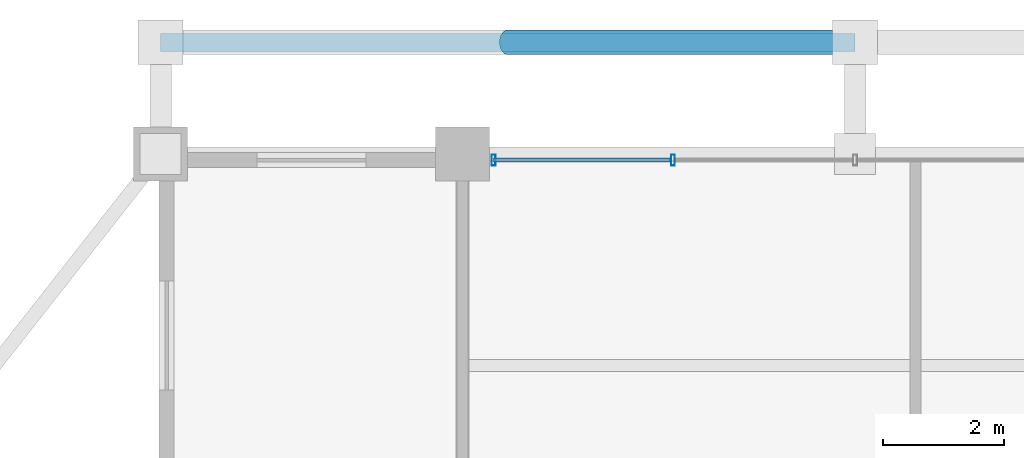
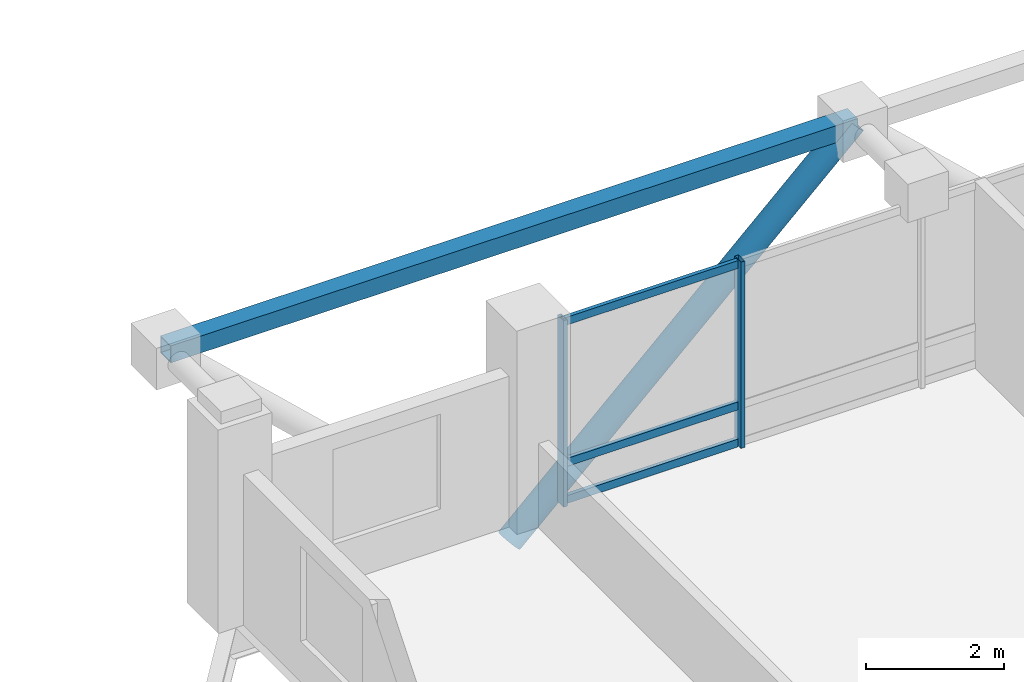
# One storey, part 15 of 25: 7 members, 1 element without a shape of its own.
"""IFC4 building model written with IfcOpenShell, lengths in metres."""

import ifcopenshell
import ifcopenshell.guid

model = None  # the IFC model being written
_history = None  # IfcOwnerHistory: only IFC2X3 demands one
_inside = {}  # id of a spatial element -> (the spatial element, [elements in it])
_under = {}  # id of a project, library or spatial element -> (it, [spatial elements below it])
_declared = {}  # id of a project -> (the project, [libraries it declares])
_typed = {}  # id of a type object -> (the type object, [elements of that type])
_made_of = {}  # id of a material, layer set ... -> (it, [elements and type objects made of it])


def new_model(schema):
    """Start an empty IFC model of exactly this schema.

    Asked for "IFC4X3", IfcOpenShell would pick the latest addendum, in which some entities
    have other attributes; the version numbers below select the first issue.
    IFC2X3 requires an IfcOwnerHistory on every rooted entity: one is made here for all.
    """
    global model, _history
    if schema == "IFC4X3":
        model = ifcopenshell.file(schema_version=(4, 3, 0, 0))
    else:
        model = ifcopenshell.file(schema=schema)
    _inside.clear()
    _under.clear()
    _declared.clear()
    _typed.clear()
    _made_of.clear()
    _history = None
    if model.schema == "IFC2X3":
        org = make("IfcOrganization", Name="unknown")
        user = make(
            "IfcPersonAndOrganization",
            ThePerson=make("IfcPerson", FamilyName="unknown"),
            TheOrganization=org,
        )
        app = make(
            "IfcApplication",
            ApplicationDeveloper=org,
            Version="unknown",
            ApplicationFullName="unknown",
            ApplicationIdentifier="unknown",
        )
        _history = make(
            "IfcOwnerHistory",
            OwningUser=user,
            OwningApplication=app,
            ChangeAction="ADDED",
            CreationDate=0,
        )
    return model


def make(cls, **values):
    """One entity of the class cls with the attributes given. An attribute that is None is left unset."""
    return model.create_entity(
        cls, **{name: value for name, value in values.items() if value is not None}
    )


def rooted(cls, **values):
    """An entity with a GlobalId (a new one), such as an element, a storey or a relation."""
    return make(cls, GlobalId=ifcopenshell.guid.new(), OwnerHistory=_history, **values)


def si_unit(unit_type, name, prefix=None):
    """IfcSIUnit, for example si_unit("LENGTHUNIT", "METRE", prefix="MILLI")."""
    return make("IfcSIUnit", UnitType=unit_type, Prefix=prefix, Name=name)


def assignment(units):
    """IfcUnitAssignment: the units of a project."""
    return None if units is None else make("IfcUnitAssignment", Units=units)


def point(xyz):
    """IfcCartesianPoint."""
    return None if xyz is None else make("IfcCartesianPoint", Coordinates=xyz)


def direction(xyz):
    """IfcDirection."""
    return None if xyz is None else make("IfcDirection", DirectionRatios=xyz)


def frame(location, z_axis=None, x_axis=None):
    """IfcAxis2Placement3D, a coordinate frame: its origin and axes. An axis left out is left unset."""
    return make(
        "IfcAxis2Placement3D",
        Location=point(location),
        Axis=direction(z_axis),
        RefDirection=direction(x_axis),
    )


def frame_2d(location, x_axis=None):
    """IfcAxis2Placement2D, a coordinate frame in the plane: its origin and x axis."""
    return make(
        "IfcAxis2Placement2D", Location=point(location), RefDirection=direction(x_axis)
    )


def origin():
    """The frame at (0, 0, 0) with its axes left unset."""
    return frame((0.0, 0.0, 0.0))


def origin_2d():
    """The frame at (0, 0) in the plane with its x axis left unset."""
    return frame_2d((0.0, 0.0))


def place(relative_to, where):
    """IfcLocalPlacement: puts the frame where relative to a parent placement (None: the world)."""
    return make(
        "IfcLocalPlacement", PlacementRelTo=relative_to, RelativePlacement=where
    )


def context(
    kind, dimensions, precision=None, world=None, true_north=None, identifier=None
):
    """IfcGeometricRepresentationContext, for example the 3D "Model" context."""
    return make(
        "IfcGeometricRepresentationContext",
        ContextIdentifier=identifier,
        ContextType=kind,
        CoordinateSpaceDimension=dimensions,
        Precision=precision,
        WorldCoordinateSystem=world,
        TrueNorth=true_north,
    )


def subcontext(parent, identifier, kind, view, scale=None):
    """IfcGeometricRepresentationSubContext, for example "Body" below "Model"."""
    return make(
        "IfcGeometricRepresentationSubContext",
        ContextIdentifier=identifier,
        ContextType=kind,
        ParentContext=parent,
        TargetScale=scale,
        TargetView=view,
    )


def project(units=None, contexts=None):
    """IfcProject with its units and contexts."""
    return rooted(
        "IfcProject",
        Name="project",
        RepresentationContexts=contexts,
        UnitsInContext=assignment(units),
    )


def spatial(cls, under=None, at=None, **own):
    """A site, building, storey or space (cls), placed at a placement, below another one or the project."""
    s = rooted(cls, ObjectPlacement=at, **own)
    if under is not None:
        _under.setdefault(under.id(), (under, []))[1].append(s)
    return s


def profile(cls, at=None, kind="AREA", **sizes):
    """A parametric profile (cls). Its sizes go by their IFC names, for example OverallWidth=200.0."""
    return make(cls, ProfileType=kind, Position=at, **sizes)


def hollow_rectangle(**sizes):
    """IfcRectangleHollowProfileDef."""
    return profile("IfcRectangleHollowProfileDef", **sizes)


def hollow_circle(**sizes):
    """IfcCircleHollowProfileDef."""
    return profile("IfcCircleHollowProfileDef", **sizes)


def extrude(swept, where, along, depth):
    """IfcExtrudedAreaSolid: the profile swept, set in the frame where, extruded along a direction by depth."""
    return make(
        "IfcExtrudedAreaSolid",
        SweptArea=swept,
        Position=where,
        ExtrudedDirection=direction(along),
        Depth=depth,
    )


def shape(context_of_items, identifier, shape_type, items):
    """IfcShapeRepresentation: the items that make up one representation, for example the "Body"."""
    return make(
        "IfcShapeRepresentation",
        ContextOfItems=context_of_items,
        RepresentationIdentifier=identifier,
        RepresentationType=shape_type,
        Items=items,
    )


def material(Name=None, Category=None):
    """IfcMaterial."""
    return make("IfcMaterial", Name=Name, Category=Category)


def layer(
    of_material, thickness, ventilated=None, Name=None, Category=None, Priority=None
):
    """IfcMaterialLayer: one layer of a wall or slab, of a material (None: an air gap)."""
    return make(
        "IfcMaterialLayer",
        Material=of_material,
        LayerThickness=thickness,
        IsVentilated=ventilated,
        Name=Name,
        Category=Category,
        Priority=Priority,
    )


def layer_set(layers, Name=None):
    """IfcMaterialLayerSet."""
    return make("IfcMaterialLayerSet", MaterialLayers=layers, LayerSetName=Name)


def material_profile(
    of_material, cross_section, Name=None, Category=None, Priority=None
):
    """IfcMaterialProfile: a cross section and its material."""
    return make(
        "IfcMaterialProfile",
        Name=Name,
        Material=of_material,
        Profile=cross_section,
        Priority=Priority,
        Category=Category,
    )


def profile_set(profiles, Name=None, composite=None):
    """IfcMaterialProfileSet."""
    return make(
        "IfcMaterialProfileSet",
        Name=Name,
        MaterialProfiles=profiles,
        CompositeProfile=composite,
    )


def made_of(thing, what):
    """Note that an element or type object is made of a material, layer set ...; save() writes the relation."""
    if what is not None:
        _made_of.setdefault(what.id(), (what, []))[1].append(thing)
    return thing


def type_object(cls, material=None, **own):
    """A type object (cls), such as IfcWallType, which elements share."""
    return made_of(rooted(cls, **own), material)


def element(
    cls,
    number,
    at=None,
    inside=None,
    cuts=None,
    type_object=None,
    material=None,
    context=None,
    identifier="Body",
    shape_type=None,
    held_by="IfcProductDefinitionShape",
    body=None,
    shapes=None,
    **own,
):
    """One element of the class cls, such as IfcWall. Its Tag is "e" and its number.

    at: its placement. inside: the storey or other place that contains it. cuts: it is an
    opening in that element (IfcRelVoidsElement). A single representation is given by context,
    identifier, shape_type and body (its items); several are given by shapes. held_by: the class
    of the entity that holds the representations. save() writes the other relations.
    """
    e = rooted(cls, Tag="e%d" % number, ObjectPlacement=at, **own)
    if body is not None:
        shapes = [shape(context, identifier, shape_type, body)]
    if shapes is not None:
        e.Representation = make(held_by, Representations=shapes)
    if inside is not None:
        _inside.setdefault(inside.id(), (inside, []))[1].append(e)
    if cuts is not None:
        rooted(
            "IfcRelVoidsElement", RelatingBuildingElement=cuts, RelatedOpeningElement=e
        )
    if type_object is not None:
        _typed.setdefault(type_object.id(), (type_object, []))[1].append(e)
    return made_of(e, material)


def aggregate(whole, parts):
    """IfcRelAggregates: a whole, such as a stair, and the parts it consists of."""
    return rooted("IfcRelAggregates", RelatingObject=whole, RelatedObjects=parts)


def save(model, path):
    """Write the relations noted so far, then the file.

    IfcRelAggregates (storeys below a building ...), IfcRelContainedInSpatialStructure (elements
    in a storey), IfcRelDefinesByType, IfcRelAssociatesMaterial and IfcRelDeclares: one each for
    every whole, place, type object, material and project.
    """
    for whole, parts in _under.values():
        aggregate(whole, parts)
    for where, things in _inside.values():
        rooted(
            "IfcRelContainedInSpatialStructure",
            RelatedElements=things,
            RelatingStructure=where,
        )
    for kind, things in _typed.values():
        rooted("IfcRelDefinesByType", RelatedObjects=things, RelatingType=kind)
    for what, things in _made_of.values():
        rooted("IfcRelAssociatesMaterial", RelatedObjects=things, RelatingMaterial=what)
    for by, libraries in _declared.values():
        rooted("IfcRelDeclares", RelatingContext=by, RelatedDefinitions=libraries)
    model.write(path)


model = new_model("IFC4")

# Units and contexts
model_context = context("Model", 3, precision=1e-05, world=origin(), true_north=direction((0.0, 1.0)))
body_context = subcontext(model_context, "Body", "Model", "MODEL_VIEW")
ifc_project = project(units=[si_unit("LENGTHUNIT", "METRE"), si_unit("AREAUNIT", "SQUARE_METRE"), si_unit("VOLUMEUNIT", "CUBIC_METRE"), si_unit("PLANEANGLEUNIT", "RADIAN"), si_unit("MASSUNIT", "GRAM", prefix="KILO")], contexts=[model_context])

# Site, building, storey
site_placement = place(None, origin())
site = spatial("IfcSite", under=ifc_project, at=site_placement, CompositionType="ELEMENT")
building_placement = place(site_placement, origin())
building = spatial("IfcBuilding", under=site, at=building_placement, Name="Barlavira Tower and Art Museum", CompositionType="ELEMENT")
storey_placement = place(building_placement, frame((0.0, 0.0, 301.5)))
storey = spatial("IfcBuildingStorey", under=building, at=storey_placement, Name="L79", CompositionType="ELEMENT", Elevation=301.5)

# Curtain wall, members
ifc_material_1 = material(Name="Low-iron coastal laminated glass", Category="glass")
ifc_layer = layer(ifc_material_1, 0.2099609375, Name="Low-iron coastal laminated glass")
ifc_layer_set = layer_set([ifc_layer], Name="Low-iron coastal laminated glass")
curtain_wall_type = type_object("IfcCurtainWallType", Name="Pale-Metal Unitised Curtain Wall Zone 4", PredefinedType="NOTDEFINED", material=ifc_layer_set)
curtain_wall_placement = place(storey_placement, origin())
curtain_wall = element("IfcCurtainWall", 1, at=curtain_wall_placement, inside=storey, type_object=curtain_wall_type, Name="L79 Curtain Wall CW4-L79-N-B2", PredefinedType="NOTDEFINED")
ifc_material_2 = material(Name="Pale anodised aluminium", Category="aluminium")
ifc_material_profile_1 = material_profile(ifc_material_2, hollow_rectangle(XDim=0.06494140625, YDim=0.179931640625, WallThickness=0.00390625, at=origin_2d()), Name="ALU-MULL 65x180x4")
ifc_profile_set_1 = profile_set([ifc_material_profile_1], Name="Pale anodised aluminium")
member_type_1 = type_object("IfcMemberType", Name="Curtain Wall Pale-Metal Mullion 65x180", PredefinedType="MULLION", material=ifc_profile_set_1)
member_1_placement = place(storey_placement, frame((-3.014892578125, 19.89990234375, 0.0), z_axis=(0.0, 0.0, 1.0), x_axis=(-1.0, 0.0, 0.0)))
member_1 = element("IfcMember", 2, at=member_1_placement, type_object=member_type_1, Name="CW4-L79-N-B2 Mullion 3", PredefinedType="MULLION", context=body_context, shape_type="SweptSolid", body=[
    extrude(hollow_rectangle(XDim=0.06494140625, YDim=0.179931640625, WallThickness=0.00390625, at=origin_2d()), origin(), (0.0, 0.0, 1.0), 3.300048828125),
])
member_2_placement = place(storey_placement, frame((-5.985107421875, 19.89990234375, 0.0), z_axis=(0.0, 0.0, 1.0), x_axis=(-1.0, 0.0, 0.0)))
member_2 = element("IfcMember", 3, at=member_2_placement, type_object=member_type_1, Name="CW4-L79-N-B2 Mullion 4", PredefinedType="MULLION", context=body_context, shape_type="SweptSolid", body=[
    extrude(hollow_rectangle(XDim=0.06494140625, YDim=0.179931640625, WallThickness=0.00390625, at=origin_2d()), origin(), (0.0, 0.0, 1.0), 3.300048828125),
])
ifc_material_profile_2 = material_profile(ifc_material_2, hollow_rectangle(XDim=0.06494140625, YDim=0.139892578125, WallThickness=0.00390625, at=origin_2d()), Name="ALU-TRAN 65x140x4")
ifc_profile_set_2 = profile_set([ifc_material_profile_2], Name="Pale anodised aluminium")
member_type_2 = type_object("IfcMemberType", Name="Curtain Wall Pale-Metal Transom 65x140", PredefinedType="USERDEFINED", material=ifc_profile_set_2)
member_3_placement = place(storey_placement, frame((-3.06005859375, 19.89990234375, 0.070068359375), z_axis=(-1.0, 0.0, 0.0), x_axis=(0.0, -1.0, 0.0)))
member_3 = element("IfcMember", 4, at=member_3_placement, type_object=member_type_2, Name="CW4-L79-N-B2 Transom 3.1", ObjectType="TRANSOM", PredefinedType="USERDEFINED", context=body_context, shape_type="SweptSolid", body=[
    extrude(hollow_rectangle(XDim=0.06494140625, YDim=0.139892578125, WallThickness=0.00390625, at=origin_2d()), origin(), (0.0, 0.0, 1.0), 2.925048828125),
])
member_4_placement = place(storey_placement, frame((-3.06005859375, 19.89990234375, 0.72607421875), z_axis=(-1.0, 0.0, 0.0), x_axis=(0.0, -1.0, 0.0)))
member_4 = element("IfcMember", 5, at=member_4_placement, type_object=member_type_2, Name="CW4-L79-N-B2 Transom 3.2", ObjectType="TRANSOM", PredefinedType="USERDEFINED", context=body_context, shape_type="SweptSolid", body=[
    extrude(hollow_rectangle(XDim=0.06494140625, YDim=0.139892578125, WallThickness=0.00390625, at=origin_2d()), origin(), (0.0, 0.0, 1.0), 2.925048828125),
])
member_5_placement = place(storey_placement, frame((-3.06005859375, 19.89990234375, 3.22998046875), z_axis=(-1.0, 0.0, 0.0), x_axis=(0.0, -1.0, 0.0)))
member_5 = element("IfcMember", 6, at=member_5_placement, type_object=member_type_2, Name="CW4-L79-N-B2 Transom 3.3", ObjectType="TRANSOM", PredefinedType="USERDEFINED", context=body_context, shape_type="SweptSolid", body=[
    extrude(hollow_rectangle(XDim=0.06494140625, YDim=0.139892578125, WallThickness=0.00390625, at=origin_2d()), origin(), (0.0, 0.0, 1.0), 2.925048828125),
])
aggregate(curtain_wall, [member_1, member_2, member_3, member_4, member_5])

# Members
ifc_material_3 = material(Name="Steel S355", Category="steel")
ifc_material_profile_3 = material_profile(ifc_material_3, hollow_circle(Radius=0.203125, WallThickness=0.01611328125, at=origin_2d()), Name="CHS 406.4x16.0")
ifc_profile_set_3 = profile_set([ifc_material_profile_3], Name="Steel S355")
member_type_3 = type_object("IfcMemberType", Name="Pale-Metal Exoskeleton Diagrid Tube CHS 406x16 Steel S355", PredefinedType="BRACE", material=ifc_profile_set_3)
member_6_placement = place(storey_placement, frame((-5.75, 21.85009765625, -1.919921875), z_axis=(0.728950095515, 0.0, 0.684566839869), x_axis=(0.0, 1.0, 0.0)))
element("IfcMember", 7, at=member_6_placement, inside=storey, type_object=member_type_3, Name="L79 Exoskeleton Diagrid Tube N", PredefinedType="BRACE", context=body_context, shape_type="SweptSolid", body=[
    extrude(hollow_circle(Radius=0.203125, WallThickness=0.01611328125, at=origin_2d()), origin(), (0.0, 0.0, 1.0), 7.887939453125),
])
ifc_material_profile_4 = material_profile(ifc_material_3, hollow_rectangle(XDim=0.300048828125, YDim=0.300048828125, WallThickness=0.01611328125, at=origin_2d()), Name="SHS 300x300x16.0")
ifc_profile_set_4 = profile_set([ifc_material_profile_4], Name="Steel S355")
member_type_4 = type_object("IfcMemberType", Name="Pale-Metal Upper Ring Strut SHS 300x300x16 Steel S355", PredefinedType="STRUT", material=ifc_profile_set_4)
member_7_placement = place(storey_placement, frame((-11.5, 21.85009765625, 3.47998046875), z_axis=(1.0, 0.0, 0.0), x_axis=(0.0, 1.0, 0.0)))
element("IfcMember", 8, at=member_7_placement, inside=storey, type_object=member_type_4, Name="L79 Exoskeleton Top Ring Strut N", PredefinedType="STRUT", context=body_context, shape_type="SweptSolid", body=[
    extrude(hollow_rectangle(XDim=0.300048828125, YDim=0.300048828125, WallThickness=0.01611328125, at=origin_2d()), origin(), (0.0, 0.0, 1.0), 11.5),
])

save(model, "model.ifc")
